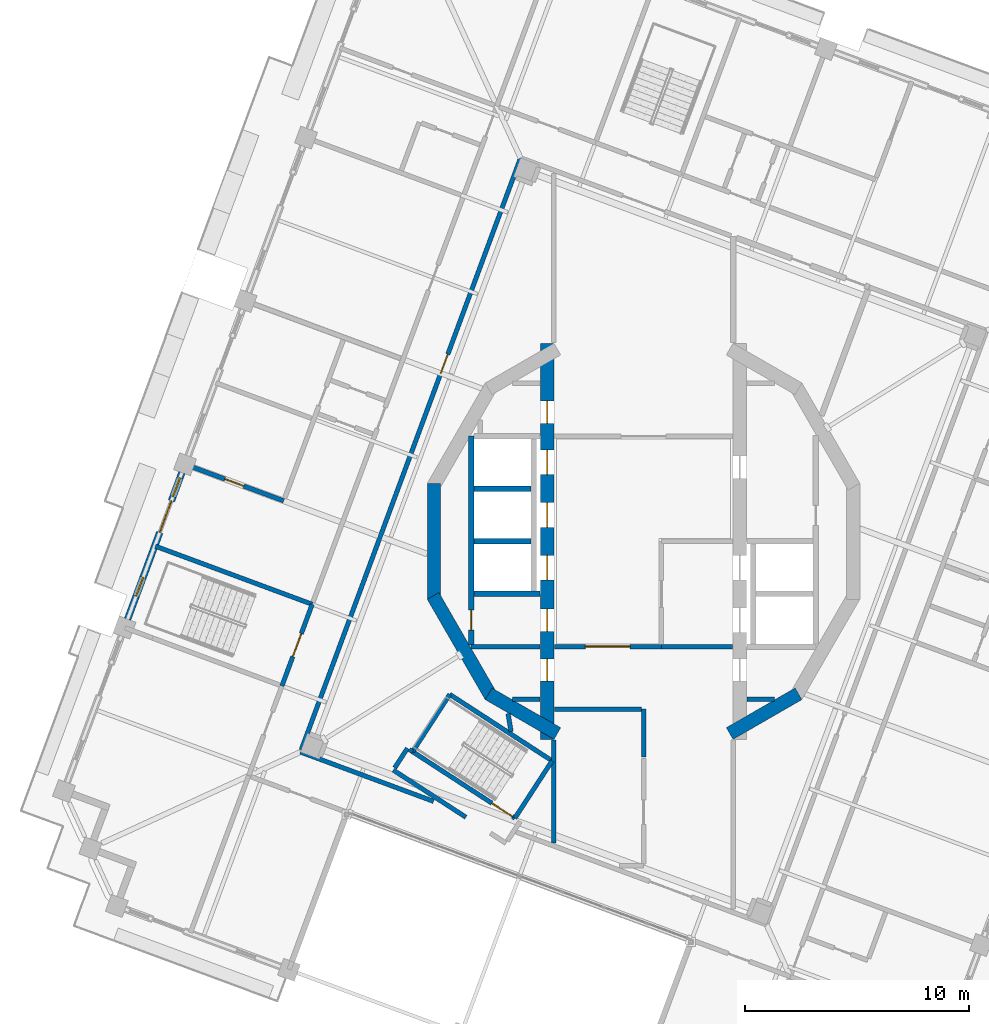
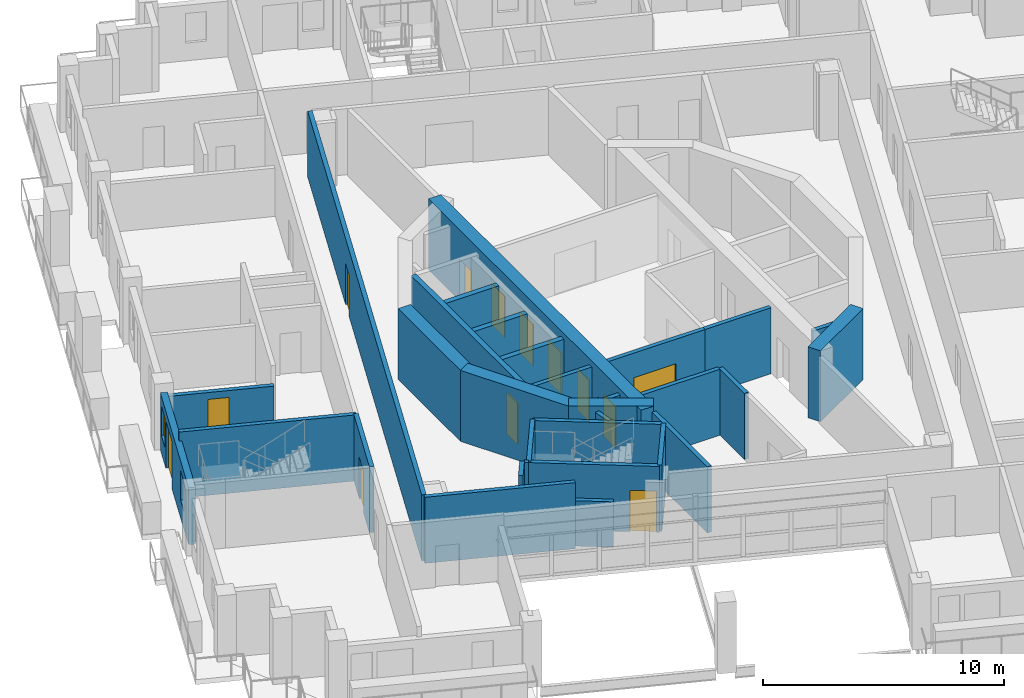
# One storey, part 6 of 19: 31 walls, 13 doors, 2 windows, 15 openings.
"""IFC4 building model written with IfcOpenShell, lengths in metres."""

import ifcopenshell
import ifcopenshell.guid

model = None  # the IFC model being written
_history = None  # IfcOwnerHistory: only IFC2X3 demands one
_inside = {}  # id of a spatial element -> (the spatial element, [elements in it])
_under = {}  # id of a project, library or spatial element -> (it, [spatial elements below it])
_declared = {}  # id of a project -> (the project, [libraries it declares])
_typed = {}  # id of a type object -> (the type object, [elements of that type])
_made_of = {}  # id of a material, layer set ... -> (it, [elements and type objects made of it])


def new_model(schema):
    """Start an empty IFC model of exactly this schema.

    Asked for "IFC4X3", IfcOpenShell would pick the latest addendum, in which some entities
    have other attributes; the version numbers below select the first issue.
    IFC2X3 requires an IfcOwnerHistory on every rooted entity: one is made here for all.
    """
    global model, _history
    if schema == "IFC4X3":
        model = ifcopenshell.file(schema_version=(4, 3, 0, 0))
    else:
        model = ifcopenshell.file(schema=schema)
    _inside.clear()
    _under.clear()
    _declared.clear()
    _typed.clear()
    _made_of.clear()
    _history = None
    if model.schema == "IFC2X3":
        org = make("IfcOrganization", Name="unknown")
        user = make(
            "IfcPersonAndOrganization",
            ThePerson=make("IfcPerson", FamilyName="unknown"),
            TheOrganization=org,
        )
        app = make(
            "IfcApplication",
            ApplicationDeveloper=org,
            Version="unknown",
            ApplicationFullName="unknown",
            ApplicationIdentifier="unknown",
        )
        _history = make(
            "IfcOwnerHistory",
            OwningUser=user,
            OwningApplication=app,
            ChangeAction="ADDED",
            CreationDate=0,
        )
    return model


def make(cls, **values):
    """One entity of the class cls with the attributes given. An attribute that is None is left unset."""
    return model.create_entity(
        cls, **{name: value for name, value in values.items() if value is not None}
    )


def rooted(cls, **values):
    """An entity with a GlobalId (a new one), such as an element, a storey or a relation."""
    return make(cls, GlobalId=ifcopenshell.guid.new(), OwnerHistory=_history, **values)


def si_unit(unit_type, name, prefix=None):
    """IfcSIUnit, for example si_unit("LENGTHUNIT", "METRE", prefix="MILLI")."""
    return make("IfcSIUnit", UnitType=unit_type, Prefix=prefix, Name=name)


def assignment(units):
    """IfcUnitAssignment: the units of a project."""
    return None if units is None else make("IfcUnitAssignment", Units=units)


def point(xyz):
    """IfcCartesianPoint."""
    return None if xyz is None else make("IfcCartesianPoint", Coordinates=xyz)


def direction(xyz):
    """IfcDirection."""
    return None if xyz is None else make("IfcDirection", DirectionRatios=xyz)


def frame(location, z_axis=None, x_axis=None):
    """IfcAxis2Placement3D, a coordinate frame: its origin and axes. An axis left out is left unset."""
    return make(
        "IfcAxis2Placement3D",
        Location=point(location),
        Axis=direction(z_axis),
        RefDirection=direction(x_axis),
    )


def frame_2d(location, x_axis=None):
    """IfcAxis2Placement2D, a coordinate frame in the plane: its origin and x axis."""
    return make(
        "IfcAxis2Placement2D", Location=point(location), RefDirection=direction(x_axis)
    )


def origin():
    """The frame at (0, 0, 0) with its axes left unset."""
    return frame((0.0, 0.0, 0.0))


def place(relative_to, where):
    """IfcLocalPlacement: puts the frame where relative to a parent placement (None: the world)."""
    return make(
        "IfcLocalPlacement", PlacementRelTo=relative_to, RelativePlacement=where
    )


def context(
    kind, dimensions, precision=None, world=None, true_north=None, identifier=None
):
    """IfcGeometricRepresentationContext, for example the 3D "Model" context."""
    return make(
        "IfcGeometricRepresentationContext",
        ContextIdentifier=identifier,
        ContextType=kind,
        CoordinateSpaceDimension=dimensions,
        Precision=precision,
        WorldCoordinateSystem=world,
        TrueNorth=true_north,
    )


def subcontext(parent, identifier, kind, view, scale=None):
    """IfcGeometricRepresentationSubContext, for example "Body" below "Model"."""
    return make(
        "IfcGeometricRepresentationSubContext",
        ContextIdentifier=identifier,
        ContextType=kind,
        ParentContext=parent,
        TargetScale=scale,
        TargetView=view,
    )


def project(units=None, contexts=None):
    """IfcProject with its units and contexts."""
    return rooted(
        "IfcProject",
        Name="project",
        RepresentationContexts=contexts,
        UnitsInContext=assignment(units),
    )


def spatial(cls, under=None, at=None, **own):
    """A site, building, storey or space (cls), placed at a placement, below another one or the project."""
    s = rooted(cls, ObjectPlacement=at, **own)
    if under is not None:
        _under.setdefault(under.id(), (under, []))[1].append(s)
    return s


def profile(cls, at=None, kind="AREA", **sizes):
    """A parametric profile (cls). Its sizes go by their IFC names, for example OverallWidth=200.0."""
    return make(cls, ProfileType=kind, Position=at, **sizes)


def rectangle(**sizes):
    """IfcRectangleProfileDef."""
    return profile("IfcRectangleProfileDef", **sizes)


def extrude(swept, where, along, depth):
    """IfcExtrudedAreaSolid: the profile swept, set in the frame where, extruded along a direction by depth."""
    return make(
        "IfcExtrudedAreaSolid",
        SweptArea=swept,
        Position=where,
        ExtrudedDirection=direction(along),
        Depth=depth,
    )


def shape(context_of_items, identifier, shape_type, items):
    """IfcShapeRepresentation: the items that make up one representation, for example the "Body"."""
    return make(
        "IfcShapeRepresentation",
        ContextOfItems=context_of_items,
        RepresentationIdentifier=identifier,
        RepresentationType=shape_type,
        Items=items,
    )


def material(Name=None, Category=None):
    """IfcMaterial."""
    return make("IfcMaterial", Name=Name, Category=Category)


def layer(
    of_material, thickness, ventilated=None, Name=None, Category=None, Priority=None
):
    """IfcMaterialLayer: one layer of a wall or slab, of a material (None: an air gap)."""
    return make(
        "IfcMaterialLayer",
        Material=of_material,
        LayerThickness=thickness,
        IsVentilated=ventilated,
        Name=Name,
        Category=Category,
        Priority=Priority,
    )


def layer_set(layers, Name=None):
    """IfcMaterialLayerSet."""
    return make("IfcMaterialLayerSet", MaterialLayers=layers, LayerSetName=Name)


def made_of(thing, what):
    """Note that an element or type object is made of a material, layer set ...; save() writes the relation."""
    if what is not None:
        _made_of.setdefault(what.id(), (what, []))[1].append(thing)
    return thing


def type_object(cls, material=None, **own):
    """A type object (cls), such as IfcWallType, which elements share."""
    return made_of(rooted(cls, **own), material)


def element(
    cls,
    number,
    at=None,
    inside=None,
    cuts=None,
    type_object=None,
    material=None,
    context=None,
    identifier="Body",
    shape_type=None,
    held_by="IfcProductDefinitionShape",
    body=None,
    shapes=None,
    **own,
):
    """One element of the class cls, such as IfcWall. Its Tag is "e" and its number.

    at: its placement. inside: the storey or other place that contains it. cuts: it is an
    opening in that element (IfcRelVoidsElement). A single representation is given by context,
    identifier, shape_type and body (its items); several are given by shapes. held_by: the class
    of the entity that holds the representations. save() writes the other relations.
    """
    e = rooted(cls, Tag="e%d" % number, ObjectPlacement=at, **own)
    if body is not None:
        shapes = [shape(context, identifier, shape_type, body)]
    if shapes is not None:
        e.Representation = make(held_by, Representations=shapes)
    if inside is not None:
        _inside.setdefault(inside.id(), (inside, []))[1].append(e)
    if cuts is not None:
        rooted(
            "IfcRelVoidsElement", RelatingBuildingElement=cuts, RelatedOpeningElement=e
        )
    if type_object is not None:
        _typed.setdefault(type_object.id(), (type_object, []))[1].append(e)
    return made_of(e, material)


def fill(opening, filler):
    """IfcRelFillsElement: the door or window that sits in an opening."""
    return rooted(
        "IfcRelFillsElement",
        RelatingOpeningElement=opening,
        RelatedBuildingElement=filler,
    )


def aggregate(whole, parts):
    """IfcRelAggregates: a whole, such as a stair, and the parts it consists of."""
    return rooted("IfcRelAggregates", RelatingObject=whole, RelatedObjects=parts)


def save(model, path):
    """Write the relations noted so far, then the file.

    IfcRelAggregates (storeys below a building ...), IfcRelContainedInSpatialStructure (elements
    in a storey), IfcRelDefinesByType, IfcRelAssociatesMaterial and IfcRelDeclares: one each for
    every whole, place, type object, material and project.
    """
    for whole, parts in _under.values():
        aggregate(whole, parts)
    for where, things in _inside.values():
        rooted(
            "IfcRelContainedInSpatialStructure",
            RelatedElements=things,
            RelatingStructure=where,
        )
    for kind, things in _typed.values():
        rooted("IfcRelDefinesByType", RelatedObjects=things, RelatingType=kind)
    for what, things in _made_of.values():
        rooted("IfcRelAssociatesMaterial", RelatedObjects=things, RelatingMaterial=what)
    for by, libraries in _declared.values():
        rooted("IfcRelDeclares", RelatingContext=by, RelatedDefinitions=libraries)
    model.write(path)


model = new_model("IFC4")

# Units and contexts
model_context = context("Model", 3, precision=1e-05, world=origin(), true_north=direction((0.0, 1.0)))
body_context = subcontext(model_context, "Body", "Model", "MODEL_VIEW")
ifc_project = project(units=[si_unit("LENGTHUNIT", "METRE"), si_unit("AREAUNIT", "SQUARE_METRE"), si_unit("VOLUMEUNIT", "CUBIC_METRE"), si_unit("PLANEANGLEUNIT", "RADIAN"), si_unit("MASSUNIT", "GRAM", prefix="KILO")], contexts=[model_context])

# Site, building, storey
site_placement = place(None, origin())
site = spatial("IfcSite", under=ifc_project, at=site_placement, CompositionType="ELEMENT")
building_placement = place(site_placement, origin())
building = spatial("IfcBuilding", under=site, at=building_placement, Name="Cantera Rosa Tower", CompositionType="ELEMENT")
storey_placement = place(building_placement, frame((0.0, 0.0, 320.5)))
storey = spatial("IfcBuildingStorey", under=building, at=storey_placement, Name="L71", CompositionType="ELEMENT", Elevation=320.5)

# Walls
ifc_material_1 = material(Name="Gypsum board partition")
ifc_layer_1 = layer(ifc_material_1, 0.199951171875)
ifc_layer_set_1 = layer_set([ifc_layer_1], Name="CORRIDOR WALL 200 H2300")
wall_type_1 = type_object("IfcWallType", Name="CORRIDOR WALL 200 H2300", PredefinedType="PARTITIONING", material=ifc_layer_set_1)
wall_1_placement = place(storey_placement, frame((-11.177490234375, -10.216552734375, 0.0), z_axis=(0.0, 0.0, 1.0), x_axis=(0.83867589464, -0.544630832537, 0.0)))
element("IfcWall", 1, at=wall_1_placement, inside=storey, type_object=wall_type_1, Name="CORRIDOR WALL L71-019", PredefinedType="PARTITIONING", context=body_context, shape_type="SweptSolid", body=[
    extrude(rectangle(XDim=3.864990234375, YDim=0.199951171875, at=frame_2d((1.9326171875, 0.0))), origin(), (0.0, 0.0, 1.0), 2.300048828125),
])
ifc_material_2 = material(Name="Gypsum board partition")
ifc_layer_2 = layer(ifc_material_2, 0.199951171875)
ifc_layer_set_2 = layer_set([ifc_layer_2], Name="CORRIDOR WALL 200 H3350")
wall_type_2 = type_object("IfcWallType", Name="CORRIDOR WALL 200 H3350", PredefinedType="PARTITIONING", material=ifc_layer_set_2)
wall_2_placement = place(storey_placement, frame((-15.3251953125, -9.4111328125, 0.0), z_axis=(0.0, 0.0, 1.0), x_axis=(0.937682798528, -0.347492401852, 0.0)))
element("IfcWall", 2, at=wall_2_placement, inside=storey, type_object=wall_type_2, Name="CORRIDOR WALL L71-009", PredefinedType="PARTITIONING", context=body_context, shape_type="SweptSolid", body=[
    extrude(rectangle(XDim=6.341552734375, YDim=0.199951171875, at=frame_2d((3.1708984375, 0.0))), origin(), (0.0, 0.0, 1.0), 3.35009765625),
])
wall_3_placement = place(storey_placement, frame((-10.546630859375, -9.2451171875, 0.0), z_axis=(0.0, 0.0, 1.0), x_axis=(-0.544732150362, -0.838610090782, 0.0)))
element("IfcWall", 3, at=wall_3_placement, inside=storey, type_object=wall_type_2, Name="CORRIDOR WALL L71-023", PredefinedType="PARTITIONING", context=body_context, shape_type="SweptSolid", body=[
    extrude(rectangle(XDim=1.038330078125, YDim=0.199951171875, at=frame_2d((0.51904296875, 0.0))), origin(), (0.0, 0.0, 1.0), 3.35009765625),
])
wall_4_placement = place(storey_placement, frame((-10.31591796875, -9.394775390625, 0.0), z_axis=(0.0, 0.0, 1.0), x_axis=(-0.838857934668, 0.544350406856, 0.0)))
element("IfcWall", 4, at=wall_4_placement, inside=storey, type_object=wall_type_2, Name="CORRIDOR WALL L71-024", PredefinedType="PARTITIONING", context=body_context, shape_type="SweptSolid", body=[
    extrude(rectangle(XDim=0.1748046875, YDim=0.199951171875, at=frame_2d((0.08740234375, 0.0))), origin(), (0.0, 0.0, 1.0), 3.35009765625),
])

# Wall, opening, door
wall_5_placement = place(storey_placement, frame((-5.491455078125, 17.125244140625, 0.0), z_axis=(0.0, 0.0, 1.0), x_axis=(-0.347478457093, -0.937687966147, 0.0)))
wall_5 = element("IfcWall", 5, at=wall_5_placement, inside=storey, type_object=wall_type_2, Name="CORRIDOR WALL L71-043", PredefinedType="PARTITIONING", context=body_context, shape_type="SweptSolid", body=[
    extrude(rectangle(XDim=28.19970703125, YDim=0.199951171875, at=frame_2d((14.099853515625, 0.0))), origin(), (0.0, 0.0, 1.0), 3.35009765625),
])
opening_1_placement = place(wall_5_placement, frame((9.35498046875, 0.0, 0.0)))
opening_1 = element("IfcOpeningElement", 6, at=opening_1_placement, cuts=wall_5, Name="Opening L71-006", PredefinedType="OPENING", context=body_context, shape_type="SweptSolid", body=[
    extrude(rectangle(XDim=0.89990234375, YDim=2.10009765625, at=frame_2d((0.449951171875, 1.050048828125))), frame((0.0, 0.10986328125, 0.0), z_axis=(0.0, -1.0, 0.0), x_axis=(1.0, 0.0, 0.0)), (0.0, 0.0, 1.0), 0.219970703125),
])
ifc_material_3 = material(Name="Timber door leaf", Category="wood")
door_type_1 = type_object("IfcDoorType", Name="SERVICE DOOR 900x2100", OperationType="NOTDEFINED", PredefinedType="DOOR", material=ifc_material_3)
door_1_placement = place(opening_1_placement, origin())
door_1 = element("IfcDoor", 7, at=door_1_placement, inside=storey, type_object=door_type_1, Name="DOOR L71-006", OperationType="NOTDEFINED", OverallHeight=2.10009765625, OverallWidth=0.89990234375, PredefinedType="DOOR", context=body_context, shape_type="SweptSolid", body=[
    extrude(rectangle(XDim=0.89990234375, YDim=2.10009765625, at=frame_2d((0.449951171875, 1.050048828125))), frame((0.0, 0.02490234375, 0.0), z_axis=(0.0, -1.0, 0.0), x_axis=(1.0, 0.0, 0.0)), (0.0, 0.0, 1.0), 0.050048828125),
])
fill(opening_1, door_1)

# Walls
wall_6_placement = place(storey_placement, frame((0.0, -9.62939453125, 0.0), z_axis=(0.0, 0.0, 1.0), x_axis=(0.0, 1.0, 0.0)))
element("IfcWall", 8, at=wall_6_placement, inside=storey, type_object=wall_type_2, Name="CORRIDOR WALL L71-057", PredefinedType="PARTITIONING", context=body_context, shape_type="SweptSolid", body=[
    extrude(rectangle(XDim=2.12939453125, YDim=0.199951171875, at=frame_2d((1.064697265625, 0.0))), origin(), (0.0, 0.0, 1.0), 3.35009765625),
])
wall_7_placement = place(storey_placement, frame((-0.10009765625, -7.5, 0.0), z_axis=(0.0, 0.0, 1.0), x_axis=(-1.0, 0.0, 0.0)))
element("IfcWall", 9, at=wall_7_placement, inside=storey, type_object=wall_type_2, Name="CORRIDOR WALL L71-058", PredefinedType="PARTITIONING", context=body_context, shape_type="SweptSolid", body=[
    extrude(rectangle(XDim=3.869873046875, YDim=0.199951171875, at=frame_2d((1.93505859375, 0.0))), origin(), (0.0, 0.0, 1.0), 3.35009765625),
])

# Wall, opening, door
wall_8_placement = place(storey_placement, frame((0.800048828125, -4.699951171875, 0.0), z_axis=(0.0, 0.0, 1.0), x_axis=(-1.0, 0.0, 0.0)))
wall_8 = element("IfcWall", 10, at=wall_8_placement, inside=storey, type_object=wall_type_2, Name="CORRIDOR WALL L71-060", PredefinedType="PARTITIONING", context=body_context, shape_type="SweptSolid", body=[
    extrude(rectangle(XDim=4.77001953125, YDim=0.199951171875, at=frame_2d((2.385009765625, 0.0))), origin(), (0.0, 0.0, 1.0), 3.35009765625),
])
opening_2_placement = place(wall_8_placement, frame((1.39990234375, 0.0, 0.0)))
opening_2 = element("IfcOpeningElement", 11, at=opening_2_placement, cuts=wall_8, Name="Opening L71-012", PredefinedType="OPENING", context=body_context, shape_type="SweptSolid", body=[
    extrude(rectangle(XDim=2.0, YDim=2.10009765625, at=frame_2d((1.0, 1.050048828125))), frame((0.0, 0.10986328125, 0.0), z_axis=(0.0, -1.0, 0.0), x_axis=(1.0, 0.0, 0.0)), (0.0, 0.0, 1.0), 0.219970703125),
])
ifc_material_4 = material(Name="Steel S355J2 (EN 10025-2)", Category="steel")
door_type_2 = type_object("IfcDoorType", Name="LOBBY SCREEN DOOR 2000x2100", OperationType="NOTDEFINED", PredefinedType="DOOR", material=ifc_material_4)
door_2_placement = place(opening_2_placement, origin())
door_2 = element("IfcDoor", 12, at=door_2_placement, inside=storey, type_object=door_type_2, Name="DOOR L71-012", OperationType="NOTDEFINED", OverallHeight=2.10009765625, OverallWidth=2.0, PredefinedType="DOOR", context=body_context, shape_type="SweptSolid", body=[
    extrude(rectangle(XDim=2.0, YDim=2.10009765625, at=frame_2d((1.0, 1.050048828125))), frame((0.0, 0.02490234375, 0.0), z_axis=(0.0, -1.0, 0.0), x_axis=(1.0, 0.0, 0.0)), (0.0, 0.0, 1.0), 0.050048828125),
])
fill(opening_2, door_2)

# Wall, openings, windows, door
ifc_material_5 = material(Name="Hollow clay masonry with cantera stone cladding", Category="masonry")
ifc_layer_3 = layer(ifc_material_5, 0.300048828125)
ifc_layer_set_3 = layer_set([ifc_layer_3], Name="EW-LOGGIA 300 H2890")
wall_type_3 = type_object("IfcWallType", Name="EW-LOGGIA 300 H2890", PredefinedType="SOLIDWALL", material=ifc_layer_set_3)
wall_9_placement = place(storey_placement, frame((-20.61962890625, 3.06591796875, 0.0), z_axis=(0.0, 0.0, 1.0), x_axis=(-0.347471562124, -0.937690521182, 0.0)))
wall_9 = element("IfcWall", 13, at=wall_9_placement, inside=storey, type_object=wall_type_3, Name="EN-L71-W10", PredefinedType="SOLIDWALL", context=body_context, shape_type="SweptSolid", body=[
    extrude(rectangle(XDim=6.979736328125, YDim=0.300048828125, at=frame_2d((3.48974609375, 0.0))), origin(), (0.0, 0.0, 1.0), 2.889892578125),
])
opening_3_placement = place(wall_9_placement, frame((0.2451171875, 0.0, 0.89990234375)))
opening_3 = element("IfcOpeningElement", 14, at=opening_3_placement, cuts=wall_9, Name="Opening L71-W22", PredefinedType="OPENING", context=body_context, shape_type="SweptSolid", body=[
    extrude(rectangle(XDim=0.89990234375, YDim=1.5, at=frame_2d((0.449951171875, 0.75))), frame((0.0, 0.159912109375, 0.0), z_axis=(0.0, -1.0, 0.0), x_axis=(1.0, 0.0, 0.0)), (0.0, 0.0, 1.0), 0.320068359375),
])
opening_4_placement = place(wall_9_placement, frame((1.344970703125, 0.0, 0.0)))
opening_4 = element("IfcOpeningElement", 15, at=opening_4_placement, cuts=wall_9, Name="Opening L71-TD23", PredefinedType="OPENING", context=body_context, shape_type="SweptSolid", body=[
    extrude(rectangle(XDim=1.5, YDim=2.39990234375, at=frame_2d((0.75, 1.199951171875))), frame((0.0, 0.159912109375, 0.0), z_axis=(0.0, -1.0, 0.0), x_axis=(1.0, 0.0, 0.0)), (0.0, 0.0, 1.0), 0.320068359375),
])
opening_5_placement = place(wall_9_placement, frame((4.985107421875, 0.0, 0.89990234375)))
opening_5 = element("IfcOpeningElement", 16, at=opening_5_placement, cuts=wall_9, Name="Opening L71-W24", PredefinedType="OPENING", context=body_context, shape_type="SweptSolid", body=[
    extrude(rectangle(XDim=0.89990234375, YDim=1.5, at=frame_2d((0.449951171875, 0.75))), frame((0.0, 0.159912109375, 0.0), z_axis=(0.0, -1.0, 0.0), x_axis=(1.0, 0.0, 0.0)), (0.0, 0.0, 1.0), 0.320068359375),
])
ifc_material_6 = material(Name="Aluminium frame with clear glass", Category="aluminium")
window_type = type_object("IfcWindowType", Name="Residential window 900x1500", PartitioningType="SINGLE_PANEL", PredefinedType="WINDOW", material=ifc_material_6)
window_1_placement = place(opening_3_placement, origin())
window_1 = element("IfcWindow", 17, at=window_1_placement, inside=storey, type_object=window_type, Name="WINDOW L71-W22", OverallHeight=1.5, OverallWidth=0.89990234375, PartitioningType="SINGLE_PANEL", PredefinedType="WINDOW", context=body_context, shape_type="SweptSolid", body=[
    extrude(rectangle(XDim=0.89990234375, YDim=1.5, at=frame_2d((0.449951171875, 0.75))), frame((0.0, 0.030029296875, 0.0), z_axis=(0.0, -1.0, 0.0), x_axis=(1.0, 0.0, 0.0)), (0.0, 0.0, 1.0), 0.06005859375),
])
fill(opening_3, window_1)
window_2_placement = place(opening_5_placement, origin())
window_2 = element("IfcWindow", 18, at=window_2_placement, inside=storey, type_object=window_type, Name="WINDOW L71-W24", OverallHeight=1.5, OverallWidth=0.89990234375, PartitioningType="SINGLE_PANEL", PredefinedType="WINDOW", context=body_context, shape_type="SweptSolid", body=[
    extrude(rectangle(XDim=0.89990234375, YDim=1.5, at=frame_2d((0.449951171875, 0.75))), frame((0.0, 0.030029296875, 0.0), z_axis=(0.0, -1.0, 0.0), x_axis=(1.0, 0.0, 0.0)), (0.0, 0.0, 1.0), 0.06005859375),
])
fill(opening_5, window_2)
ifc_material_7 = material(Name="Aluminium frame with clear glass", Category="aluminium")
door_type_3 = type_object("IfcDoorType", Name="TD-R 1500x2400", OperationType="NOTDEFINED", PredefinedType="DOOR", material=ifc_material_7)
door_3_placement = place(opening_4_placement, origin())
door_3 = element("IfcDoor", 19, at=door_3_placement, inside=storey, type_object=door_type_3, Name="LOGGIA DOOR L71-TD23", OperationType="SLIDING_TO_LEFT", OverallHeight=2.39990234375, OverallWidth=1.5, PredefinedType="DOOR", context=body_context, shape_type="SweptSolid", body=[
    extrude(rectangle(XDim=1.5, YDim=2.39990234375, at=frame_2d((0.75, 1.199951171875))), frame((0.0, 0.02490234375, 0.0), z_axis=(0.0, -1.0, 0.0), x_axis=(1.0, 0.0, 0.0)), (0.0, 0.0, 1.0), 0.050048828125),
])
fill(opening_4, door_3)

# Wall, opening, door
ifc_material_8 = material(Name="Gypsum board partition")
ifc_layer_4 = layer(ifc_material_8, 0.199951171875)
ifc_layer_set_4 = layer_set([ifc_layer_4], Name="PARTITION 200 H2450")
wall_type_4 = type_object("IfcWallType", Name="PARTITION 200 H2450", PredefinedType="PARTITIONING", material=ifc_layer_set_4)
wall_10_placement = place(storey_placement, frame((-16.073486328125, 1.807861328125, 0.0), z_axis=(0.0, 0.0, 1.0), x_axis=(-0.937680003703, 0.347499943388, 0.0)))
wall_10 = element("IfcWall", 20, at=wall_10_placement, inside=storey, type_object=wall_type_4, Name="PARTITION L71-008", PredefinedType="PARTITIONING", context=body_context, shape_type="SweptSolid", body=[
    extrude(rectangle(XDim=4.669921875, YDim=0.199951171875, at=frame_2d((2.3349609375, 0.0))), origin(), (0.0, 0.0, 1.0), 2.449951171875),
])
opening_6_placement = place(wall_10_placement, frame((1.89990234375, 0.0, 0.0)))
opening_6 = element("IfcOpeningElement", 21, at=opening_6_placement, cuts=wall_10, Name="Opening L71-032", PredefinedType="OPENING", context=body_context, shape_type="SweptSolid", body=[
    extrude(rectangle(XDim=0.89990234375, YDim=2.10009765625, at=frame_2d((0.449951171875, 1.050048828125))), frame((0.0, 0.10986328125, 0.0), z_axis=(0.0, -1.0, 0.0), x_axis=(1.0, 0.0, 0.0)), (0.0, 0.0, 1.0), 0.219970703125),
])
ifc_material_9 = material(Name="Timber door leaf", Category="wood")
door_type_4 = type_object("IfcDoorType", Name="ROOM DOOR 900x2100", OperationType="NOTDEFINED", PredefinedType="DOOR", material=ifc_material_9)
door_4_placement = place(opening_6_placement, origin())
door_4 = element("IfcDoor", 22, at=door_4_placement, inside=storey, type_object=door_type_4, Name="DOOR L71-032", OperationType="NOTDEFINED", OverallHeight=2.10009765625, OverallWidth=0.89990234375, PredefinedType="DOOR", context=body_context, shape_type="SweptSolid", body=[
    extrude(rectangle(XDim=0.89990234375, YDim=2.10009765625, at=frame_2d((0.449951171875, 1.050048828125))), frame((0.0, 0.02490234375, 0.0), z_axis=(0.0, -1.0, 0.0), x_axis=(1.0, 0.0, 0.0)), (0.0, 0.0, 1.0), 0.050048828125),
])
fill(opening_6, door_4)

# Walls
ifc_material_10 = material(Name="Gypsum board partition")
ifc_layer_5 = layer(ifc_material_10, 0.199951171875)
ifc_layer_set_5 = layer_set([ifc_layer_5], Name="PARTITION 200 H3350")
wall_type_5 = type_object("IfcWallType", Name="PARTITION 200 H3350", PredefinedType="PARTITIONING", material=ifc_layer_set_5)
wall_11_placement = place(storey_placement, frame((-7.699951171875, -4.699951171875, 0.0), z_axis=(0.0, 0.0, 1.0), x_axis=(1.0, 0.0, 0.0)))
element("IfcWall", 23, at=wall_11_placement, inside=storey, type_object=wall_type_5, Name="PARTITION L71-029", PredefinedType="PARTITIONING", context=body_context, shape_type="SweptSolid", body=[
    extrude(rectangle(XDim=3.070068359375, YDim=0.199951171875, at=frame_2d((1.53515625, 0.0))), origin(), (0.0, 0.0, 1.0), 3.35009765625),
])
wall_12_placement = place(storey_placement, frame((-6.05078125, -7.694580078125, 0.0), z_axis=(0.0, 0.0, 1.0), x_axis=(0.164690324197, -0.986345323462, 0.0)))
element("IfcWall", 24, at=wall_12_placement, inside=storey, type_object=wall_type_5, Name="PARTITION L71-039", PredefinedType="PARTITIONING", context=body_context, shape_type="SweptSolid", body=[
    extrude(rectangle(XDim=0.8154296875, YDim=0.199951171875, at=frame_2d((0.40771484375, 0.0))), origin(), (0.0, 0.0, 1.0), 3.35009765625),
])
wall_13_placement = place(storey_placement, frame((-4.6298828125, -7.050048828125, 0.0), z_axis=(0.0, 0.0, 1.0), x_axis=(-1.0, 0.0, 0.0)))
element("IfcWall", 25, at=wall_13_placement, inside=storey, type_object=wall_type_5, Name="PARTITION L71-046", PredefinedType="PARTITIONING", context=body_context, shape_type="SweptSolid", body=[
    extrude(rectangle(XDim=1.2177734375, YDim=0.199951171875, at=frame_2d((0.60888671875, 0.0))), origin(), (0.0, 0.0, 1.0), 3.35009765625),
])
wall_14_placement = place(storey_placement, frame((-4.0, -13.468017578125, 0.0), z_axis=(0.0, 0.0, 1.0), x_axis=(0.0, 1.0, 0.0)))
element("IfcWall", 26, at=wall_14_placement, inside=storey, type_object=wall_type_5, Name="PARTITION L71-049", PredefinedType="PARTITIONING", context=body_context, shape_type="SweptSolid", body=[
    extrude(rectangle(XDim=4.589111328125, YDim=0.199951171875, at=frame_2d((2.29443359375, 0.0))), origin(), (0.0, 0.0, 1.0), 3.35009765625),
])
wall_15_placement = place(storey_placement, frame((5.84765625, -7.050048828125, 0.0), z_axis=(0.0, 0.0, 1.0), x_axis=(-1.0, 0.0, 0.0)))
element("IfcWall", 27, at=wall_15_placement, inside=storey, type_object=wall_type_5, Name="PARTITION L71-077", PredefinedType="PARTITIONING", context=body_context, shape_type="SweptSolid", body=[
    extrude(rectangle(XDim=1.2177734375, YDim=0.199951171875, at=frame_2d((0.60888671875, 0.0))), origin(), (0.0, 0.0, 1.0), 3.35009765625),
])
ifc_material_11 = material(Name="Concrete C50/60", Category="concrete")
ifc_layer_6 = layer(ifc_material_11, 0.60009765625)
ifc_layer_set_6 = layer_set([ifc_layer_6], Name="RC CORE WALL 600 C50/60")
wall_type_6 = type_object("IfcWallType", Name="RC CORE WALL 600 C50/60", PredefinedType="SHEAR", material=ifc_layer_set_6)
wall_16_placement = place(storey_placement, frame((-3.85009765625, -8.584228515625, 0.0), z_axis=(0.0, 0.0, 1.0), x_axis=(-0.866039982607, 0.499974747889, 0.0)))
element("IfcWall", 28, at=wall_16_placement, inside=storey, type_object=wall_type_6, Name="CW-W1 L71", PredefinedType="SHEAR", context=body_context, shape_type="SweptSolid", body=[
    extrude(rectangle(XDim=3.546142578125, YDim=0.60009765625, at=frame_2d((1.77294921875, 0.0))), origin(), (0.0, 0.0, 1.0), 3.60009765625),
])
for number, where, z_axis, x_axis, name in (
    (29, (-6.811279296875, -6.921142578125, 0.0), (0.0, 0.0, 1.0), (-0.499989188378, 0.866031645787, 0.0), "CW-W2 L71"),
    (30, (-9.359375, -2.588134765625, 0.0), (0.0, 0.0, 1.0), (0.0, 1.0, 0.0), "CW-W3 L71"),
):
    element("IfcWall", number, at=place(storey_placement, frame(where, z_axis=z_axis, x_axis=x_axis)), inside=storey, type_object=wall_type_6, Name=name, PredefinedType="SHEAR", context=body_context, shape_type="SweptSolid", body=[
        extrude(rectangle(XDim=5.17626953125, YDim=0.60009765625, at=frame_2d((2.588134765625, 0.0))), origin(), (0.0, 0.0, 1.0), 3.60009765625),
    ])

# Wall, openings, doors
wall_17_placement = place(storey_placement, frame((-4.300048828125, 8.84423828125, 0.0), z_axis=(0.0, 0.0, 1.0), x_axis=(0.0, -1.0, 0.0)))
wall_17 = element("IfcWall", 31, at=wall_17_placement, inside=storey, type_object=wall_type_6, Name="CW-W6 L71", PredefinedType="SHEAR", context=body_context, shape_type="SweptSolid", body=[
    extrude(rectangle(XDim=17.6884765625, YDim=0.60009765625, at=frame_2d((8.84423828125, 0.0))), origin(), (0.0, 0.0, 1.0), 3.60009765625),
])
opening_7_placement = place(wall_17_placement, frame((9.468994140625, 0.0, 0.0)))
opening_7 = element("IfcOpeningElement", 32, at=opening_7_placement, cuts=wall_17, Name="Opening LD-H1-L71", PredefinedType="OPENING", context=body_context, shape_type="SweptSolid", body=[
    extrude(rectangle(XDim=1.10009765625, YDim=2.10009765625, at=frame_2d((0.550048828125, 1.050048828125))), frame((0.0, 0.31005859375, 0.0), z_axis=(0.0, -1.0, 0.0), x_axis=(1.0, 0.0, 0.0)), (0.0, 0.0, 1.0), 0.6201171875),
])
opening_8_placement = place(wall_17_placement, frame((7.119140625, 0.0, 0.0)))
opening_8 = element("IfcOpeningElement", 33, at=opening_8_placement, cuts=wall_17, Name="Opening LD-H2-L71", PredefinedType="OPENING", context=body_context, shape_type="SweptSolid", body=[
    extrude(rectangle(XDim=1.10009765625, YDim=2.10009765625, at=frame_2d((0.550048828125, 1.050048828125))), frame((0.0, 0.31005859375, 0.0), z_axis=(0.0, -1.0, 0.0), x_axis=(1.0, 0.0, 0.0)), (0.0, 0.0, 1.0), 0.6201171875),
])
opening_9_placement = place(wall_17_placement, frame((4.76904296875, 0.0, 0.0)))
opening_9 = element("IfcOpeningElement", 34, at=opening_9_placement, cuts=wall_17, Name="Opening LD-H3-L71", PredefinedType="OPENING", context=body_context, shape_type="SweptSolid", body=[
    extrude(rectangle(XDim=1.10009765625, YDim=2.10009765625, at=frame_2d((0.550048828125, 1.050048828125))), frame((0.0, 0.31005859375, 0.0), z_axis=(0.0, -1.0, 0.0), x_axis=(1.0, 0.0, 0.0)), (0.0, 0.0, 1.0), 0.6201171875),
])
opening_10_placement = place(wall_17_placement, frame((14.091552734375, 0.0, 0.0)))
opening_10 = element("IfcOpeningElement", 35, at=opening_10_placement, cuts=wall_17, Name="Opening SD-L71-15", PredefinedType="OPENING", context=body_context, shape_type="SweptSolid", body=[
    extrude(rectangle(XDim=1.0, YDim=2.10009765625, at=frame_2d((0.5, 1.050048828125))), frame((0.0, 0.31005859375, 0.0), z_axis=(0.0, -1.0, 0.0), x_axis=(1.0, 0.0, 0.0)), (0.0, 0.0, 1.0), 0.6201171875),
])
opening_11_placement = place(wall_17_placement, frame((2.572265625, 0.0, 0.0)))
opening_11 = element("IfcOpeningElement", 36, at=opening_11_placement, cuts=wall_17, Name="Opening SD-L71-16", PredefinedType="OPENING", context=body_context, shape_type="SweptSolid", body=[
    extrude(rectangle(XDim=1.0, YDim=2.10009765625, at=frame_2d((0.5, 1.050048828125))), frame((0.0, 0.31005859375, 0.0), z_axis=(0.0, -1.0, 0.0), x_axis=(1.0, 0.0, 0.0)), (0.0, 0.0, 1.0), 0.6201171875),
])
opening_12_placement = place(wall_17_placement, frame((11.869140625, 0.0, 0.0)))
opening_12 = element("IfcOpeningElement", 37, at=opening_12_placement, cuts=wall_17, Name="Opening SD-L71-17", PredefinedType="OPENING", context=body_context, shape_type="SweptSolid", body=[
    extrude(rectangle(XDim=1.0, YDim=2.10009765625, at=frame_2d((0.5, 1.050048828125))), frame((0.0, 0.31005859375, 0.0), z_axis=(0.0, -1.0, 0.0), x_axis=(1.0, 0.0, 0.0)), (0.0, 0.0, 1.0), 0.6201171875),
])
ifc_material_12 = material(Name="Steel S355J2 (EN 10025-2)", Category="steel")
door_type_5 = type_object("IfcDoorType", Name="LANDING DOOR 1100x2100", OperationType="NOTDEFINED", PredefinedType="DOOR", material=ifc_material_12)
door_5_placement = place(opening_7_placement, origin())
door_5 = element("IfcDoor", 38, at=door_5_placement, inside=storey, type_object=door_type_5, Name="LANDING DOOR H1 L71", OperationType="SLIDING_TO_LEFT", OverallHeight=2.10009765625, OverallWidth=1.10009765625, PredefinedType="DOOR", context=body_context, shape_type="SweptSolid", body=[
    extrude(rectangle(XDim=1.10009765625, YDim=2.10009765625, at=frame_2d((0.550048828125, 1.050048828125))), frame((0.0, 0.02490234375, 0.0), z_axis=(0.0, -1.0, 0.0), x_axis=(1.0, 0.0, 0.0)), (0.0, 0.0, 1.0), 0.050048828125),
])
fill(opening_7, door_5)
door_6_placement = place(opening_8_placement, origin())
door_6 = element("IfcDoor", 39, at=door_6_placement, inside=storey, type_object=door_type_5, Name="LANDING DOOR H2 L71", OperationType="SLIDING_TO_LEFT", OverallHeight=2.10009765625, OverallWidth=1.10009765625, PredefinedType="DOOR", context=body_context, shape_type="SweptSolid", body=[
    extrude(rectangle(XDim=1.10009765625, YDim=2.10009765625, at=frame_2d((0.550048828125, 1.050048828125))), frame((0.0, 0.02490234375, 0.0), z_axis=(0.0, -1.0, 0.0), x_axis=(1.0, 0.0, 0.0)), (0.0, 0.0, 1.0), 0.050048828125),
])
fill(opening_8, door_6)
door_7_placement = place(opening_9_placement, origin())
door_7 = element("IfcDoor", 40, at=door_7_placement, inside=storey, type_object=door_type_5, Name="LANDING DOOR H3 L71", OperationType="SLIDING_TO_LEFT", OverallHeight=2.10009765625, OverallWidth=1.10009765625, PredefinedType="DOOR", context=body_context, shape_type="SweptSolid", body=[
    extrude(rectangle(XDim=1.10009765625, YDim=2.10009765625, at=frame_2d((0.550048828125, 1.050048828125))), frame((0.0, 0.02490234375, 0.0), z_axis=(0.0, -1.0, 0.0), x_axis=(1.0, 0.0, 0.0)), (0.0, 0.0, 1.0), 0.050048828125),
])
fill(opening_9, door_7)
ifc_material_13 = material(Name="Timber door leaf", Category="wood")
door_type_6 = type_object("IfcDoorType", Name="SERVICE DOOR 1000x2100", OperationType="NOTDEFINED", PredefinedType="DOOR", material=ifc_material_13)
door_8_placement = place(opening_10_placement, origin())
door_8 = element("IfcDoor", 41, at=door_8_placement, inside=storey, type_object=door_type_6, Name="DOOR L71-SD15", OperationType="NOTDEFINED", OverallHeight=2.10009765625, OverallWidth=1.0, PredefinedType="DOOR", context=body_context, shape_type="SweptSolid", body=[
    extrude(rectangle(XDim=1.0, YDim=2.10009765625, at=frame_2d((0.5, 1.050048828125))), frame((0.0, 0.02490234375, 0.0), z_axis=(0.0, -1.0, 0.0), x_axis=(1.0, 0.0, 0.0)), (0.0, 0.0, 1.0), 0.050048828125),
])
fill(opening_10, door_8)
door_9_placement = place(opening_11_placement, origin())
door_9 = element("IfcDoor", 42, at=door_9_placement, inside=storey, type_object=door_type_6, Name="DOOR L71-SD16", OperationType="NOTDEFINED", OverallHeight=2.10009765625, OverallWidth=1.0, PredefinedType="DOOR", context=body_context, shape_type="SweptSolid", body=[
    extrude(rectangle(XDim=1.0, YDim=2.10009765625, at=frame_2d((0.5, 1.050048828125))), frame((0.0, 0.02490234375, 0.0), z_axis=(0.0, -1.0, 0.0), x_axis=(1.0, 0.0, 0.0)), (0.0, 0.0, 1.0), 0.050048828125),
])
fill(opening_11, door_9)
door_10_placement = place(opening_12_placement, origin())
door_10 = element("IfcDoor", 43, at=door_10_placement, inside=storey, type_object=door_type_6, Name="DOOR L71-SD17", OperationType="NOTDEFINED", OverallHeight=2.10009765625, OverallWidth=1.0, PredefinedType="DOOR", context=body_context, shape_type="SweptSolid", body=[
    extrude(rectangle(XDim=1.0, YDim=2.10009765625, at=frame_2d((0.5, 1.050048828125))), frame((0.0, 0.02490234375, 0.0), z_axis=(0.0, -1.0, 0.0), x_axis=(1.0, 0.0, 0.0)), (0.0, 0.0, 1.0), 0.050048828125),
])
fill(opening_12, door_10)

# Walls
wall_18_placement = place(storey_placement, frame((6.921142578125, -6.811279296875, 0.0), z_axis=(0.0, 0.0, 1.0), x_axis=(-0.866039982607, -0.499974747889, 0.0)))
element("IfcWall", 44, at=wall_18_placement, inside=storey, type_object=wall_type_6, Name="CW-E5 L71", PredefinedType="SHEAR", context=body_context, shape_type="SweptSolid", body=[
    extrude(rectangle(XDim=3.546142578125, YDim=0.60009765625, at=frame_2d((1.77294921875, 0.0))), origin(), (0.0, 0.0, 1.0), 3.60009765625),
])
ifc_material_14 = material(Name="Masonry blockwork", Category="masonry")
ifc_layer_7 = layer(ifc_material_14, 0.25)
ifc_layer_set_7 = layer_set([ifc_layer_7], Name="SHAFT WALL 250 H3350")
wall_type_7 = type_object("IfcWallType", Name="SHAFT WALL 250 H3350", PredefinedType="SOLIDWALL", material=ifc_layer_set_7)
for number, where, z_axis, x_axis, name in (
    (45, (-7.574951171875, 0.0, 0.0), (0.0, 0.0, 1.0), (1.0, 0.0, 0.0), "SHAFT WALL L71-030"),
    (46, (-7.574951171875, 2.35009765625, 0.0), (0.0, 0.0, 1.0), (1.0, 0.0, 0.0), "SHAFT WALL L71-031"),
):
    element("IfcWall", number, at=place(storey_placement, frame(where, z_axis=z_axis, x_axis=x_axis)), inside=storey, type_object=wall_type_7, Name=name, PredefinedType="SOLIDWALL", context=body_context, shape_type="SweptSolid", body=[
        extrude(rectangle(XDim=2.554931640625, YDim=0.25, at=frame_2d((1.27734375, 0.0))), origin(), (0.0, 0.0, 1.0), 3.35009765625),
    ])

# Wall, opening, door
wall_19_placement = place(storey_placement, frame((-7.699951171875, 4.699951171875, 0.0), z_axis=(0.0, 0.0, 1.0), x_axis=(0.0, -1.0, 0.0)))
wall_19 = element("IfcWall", 47, at=wall_19_placement, inside=storey, type_object=wall_type_7, Name="SHAFT WALL L71-032", PredefinedType="SOLIDWALL", context=body_context, shape_type="SweptSolid", body=[
    extrude(rectangle(XDim=9.320068359375, YDim=0.25, at=frame_2d((4.66015625, 0.0))), origin(), (0.0, 0.0, 1.0), 3.35009765625),
])
opening_13_placement = place(wall_19_placement, frame((7.7705078125, 0.0, 0.0)))
opening_13 = element("IfcOpeningElement", 48, at=opening_13_placement, cuts=wall_19, Name="Opening L71-048", PredefinedType="OPENING", context=body_context, shape_type="SweptSolid", body=[
    extrude(rectangle(XDim=0.89990234375, YDim=2.10009765625, at=frame_2d((0.449951171875, 1.050048828125))), frame((0.0, 0.135009765625, 0.0), z_axis=(0.0, -1.0, 0.0), x_axis=(1.0, 0.0, 0.0)), (0.0, 0.0, 1.0), 0.27001953125),
])
door_11_placement = place(opening_13_placement, origin())
door_11 = element("IfcDoor", 49, at=door_11_placement, inside=storey, type_object=door_type_1, Name="RISER DOOR L71-048", OperationType="NOTDEFINED", OverallHeight=2.10009765625, OverallWidth=0.89990234375, PredefinedType="DOOR", context=body_context, shape_type="SweptSolid", body=[
    extrude(rectangle(XDim=0.89990234375, YDim=2.10009765625, at=frame_2d((0.449951171875, 1.050048828125))), frame((0.0, 0.02490234375, 0.0), z_axis=(0.0, -1.0, 0.0), x_axis=(1.0, 0.0, 0.0)), (0.0, 0.0, 1.0), 0.050048828125),
])
fill(opening_13, door_11)

# Wall
wall_20_placement = place(storey_placement, frame((-4.6298828125, -2.35009765625, 0.0), z_axis=(0.0, 0.0, 1.0), x_axis=(-1.0, 0.0, 0.0)))
element("IfcWall", 50, at=wall_20_placement, inside=storey, type_object=wall_type_7, Name="SHAFT WALL L71-047", PredefinedType="SOLIDWALL", context=body_context, shape_type="SweptSolid", body=[
    extrude(rectangle(XDim=2.945068359375, YDim=0.25, at=frame_2d((1.47265625, 0.0))), origin(), (0.0, 0.0, 1.0), 3.35009765625),
])

# Wall, opening, door
ifc_material_15 = material(Name="Concrete C50/60", Category="concrete")
ifc_layer_8 = layer(ifc_material_15, 0.199951171875)
ifc_layer_set_8 = layer_set([ifc_layer_8], Name="STAIR WALL 200 H3350")
wall_type_8 = type_object("IfcWallType", Name="STAIR WALL 200 H3350", PredefinedType="SOLIDWALL", material=ifc_layer_set_8)
wall_21_placement = place(storey_placement, frame((-16.1513671875, -6.460205078125, 0.0), z_axis=(0.0, 0.0, 1.0), x_axis=(0.347516717491, 0.937673787126, 0.0)))
wall_21 = element("IfcWall", 51, at=wall_21_placement, inside=storey, type_object=wall_type_8, Name="STAIR WALL L71-007", PredefinedType="SOLIDWALL", context=body_context, shape_type="SweptSolid", body=[
    extrude(rectangle(XDim=3.889892578125, YDim=0.199951171875, at=frame_2d((1.94482421875, 0.0))), origin(), (0.0, 0.0, 1.0), 3.35009765625),
])
opening_14_placement = place(wall_21_placement, frame((1.39501953125, 0.0, 0.0)))
opening_14 = element("IfcOpeningElement", 52, at=opening_14_placement, cuts=wall_21, Name="Opening L71-003", PredefinedType="OPENING", context=body_context, shape_type="SweptSolid", body=[
    extrude(rectangle(XDim=1.10009765625, YDim=2.10009765625, at=frame_2d((0.550048828125, 1.050048828125))), frame((0.0, 0.10986328125, 0.0), z_axis=(0.0, -1.0, 0.0), x_axis=(1.0, 0.0, 0.0)), (0.0, 0.0, 1.0), 0.219970703125),
])
ifc_material_16 = material(Name="Steel S355J2 (EN 10025-2)", Category="steel")
door_type_7 = type_object("IfcDoorType", Name="STAIR DOOR 1100x2100", OperationType="NOTDEFINED", PredefinedType="DOOR", material=ifc_material_16)
door_12_placement = place(opening_14_placement, origin())
door_12 = element("IfcDoor", 53, at=door_12_placement, inside=storey, type_object=door_type_7, Name="DOOR L71-003", OperationType="NOTDEFINED", OverallHeight=2.10009765625, OverallWidth=1.10009765625, PredefinedType="DOOR", context=body_context, shape_type="SweptSolid", body=[
    extrude(rectangle(XDim=1.10009765625, YDim=2.10009765625, at=frame_2d((0.550048828125, 1.050048828125))), frame((0.0, 0.02490234375, 0.0), z_axis=(0.0, -1.0, 0.0), x_axis=(1.0, 0.0, 0.0)), (0.0, 0.0, 1.0), 0.050048828125),
])
fill(opening_14, door_12)

# Wall
wall_22_placement = place(storey_placement, frame((-14.799560546875, -2.812744140625, 0.0), z_axis=(0.0, 0.0, 1.0), x_axis=(-0.93768803379, 0.347478274555, 0.0)))
element("IfcWall", 54, at=wall_22_placement, inside=storey, type_object=wall_type_8, Name="STAIR WALL L71-011", PredefinedType="SOLIDWALL", context=body_context, shape_type="SweptSolid", body=[
    extrude(rectangle(XDim=7.47021484375, YDim=0.199951171875, at=frame_2d((3.735107421875, 0.0))), origin(), (0.0, 0.0, 1.0), 3.35009765625),
])

# Wall, opening, door
wall_23_placement = place(storey_placement, frame((-10.31591796875, -9.394775390625, 0.0), z_axis=(0.0, 0.0, 1.0), x_axis=(0.838674843592, -0.544632451041, 0.0)))
wall_23 = element("IfcWall", 55, at=wall_23_placement, inside=storey, type_object=wall_type_8, Name="STAIR WALL L71-025", PredefinedType="SOLIDWALL", context=body_context, shape_type="SweptSolid", body=[
    extrude(rectangle(XDim=5.449951171875, YDim=0.199951171875, at=frame_2d((2.72509765625, 0.0))), origin(), (0.0, 0.0, 1.0), 3.35009765625),
])
opening_15_placement = place(wall_23_placement, frame((4.219970703125, 0.0, 0.0)))
opening_15 = element("IfcOpeningElement", 56, at=opening_15_placement, cuts=wall_23, Name="Opening L71-004", PredefinedType="OPENING", context=body_context, shape_type="SweptSolid", body=[
    extrude(rectangle(XDim=1.10009765625, YDim=2.10009765625, at=frame_2d((0.550048828125, 1.050048828125))), frame((0.0, 0.10986328125, 0.0), z_axis=(0.0, -1.0, 0.0), x_axis=(1.0, 0.0, 0.0)), (0.0, 0.0, 1.0), 0.219970703125),
])
door_13_placement = place(opening_15_placement, origin())
door_13 = element("IfcDoor", 57, at=door_13_placement, inside=storey, type_object=door_type_7, Name="DOOR L71-004", OperationType="NOTDEFINED", OverallHeight=2.10009765625, OverallWidth=1.10009765625, PredefinedType="DOOR", context=body_context, shape_type="SweptSolid", body=[
    extrude(rectangle(XDim=1.10009765625, YDim=2.10009765625, at=frame_2d((0.550048828125, 1.050048828125))), frame((0.0, 0.02490234375, 0.0), z_axis=(0.0, -1.0, 0.0), x_axis=(1.0, 0.0, 0.0)), (0.0, 0.0, 1.0), 0.050048828125),
])
fill(opening_15, door_13)

# Walls
wall_24_placement = place(storey_placement, frame((-8.65478515625, -6.8369140625, 0.0), z_axis=(0.0, 0.0, 1.0), x_axis=(-0.544647854685, -0.838664840319, 0.0)))
element("IfcWall", 58, at=wall_24_placement, inside=storey, type_object=wall_type_8, Name="STAIR WALL L71-027", PredefinedType="SOLIDWALL", context=body_context, shape_type="SweptSolid", body=[
    extrude(rectangle(XDim=3.0498046875, YDim=0.199951171875, at=frame_2d((1.52490234375, 0.0))), origin(), (0.0, 0.0, 1.0), 3.35009765625),
])
wall_25_placement = place(storey_placement, frame((-8.65478515625, -6.8369140625, 0.0), z_axis=(0.0, 0.0, 1.0), x_axis=(0.838674843592, -0.544632451041, 0.0)))
element("IfcWall", 59, at=wall_25_placement, inside=storey, type_object=wall_type_8, Name="STAIR WALL L71-028", PredefinedType="SOLIDWALL", context=body_context, shape_type="SweptSolid", body=[
    extrude(rectangle(XDim=5.449951171875, YDim=0.199951171875, at=frame_2d((2.72509765625, 0.0))), origin(), (0.0, 0.0, 1.0), 3.35009765625),
])
wall_26_placement = place(storey_placement, frame((-4.083984375, -9.80517578125, 0.0), z_axis=(0.0, 0.0, 1.0), x_axis=(-0.544647854685, -0.838664840319, 0.0)))
element("IfcWall", 60, at=wall_26_placement, inside=storey, type_object=wall_type_8, Name="STAIR WALL L71-048", PredefinedType="SOLIDWALL", context=body_context, shape_type="SweptSolid", body=[
    extrude(rectangle(XDim=3.0498046875, YDim=0.199951171875, at=frame_2d((1.52490234375, 0.0))), origin(), (0.0, 0.0, 1.0), 3.35009765625),
])
wall_27_placement = place(storey_placement, frame((3.969970703125, -4.699951171875, 0.0), z_axis=(0.0, 0.0, 1.0), x_axis=(-1.0, 0.0, 0.0)))
element("IfcWall", 61, at=wall_27_placement, inside=storey, type_object=wall_type_8, Name="STAIR WALL L71-066", PredefinedType="SOLIDWALL", context=body_context, shape_type="SweptSolid", body=[
    extrude(rectangle(XDim=3.169921875, YDim=0.199951171875, at=frame_2d((1.5849609375, 0.0))), origin(), (0.0, 0.0, 1.0), 3.35009765625),
])

save(model, "model.ifc")
